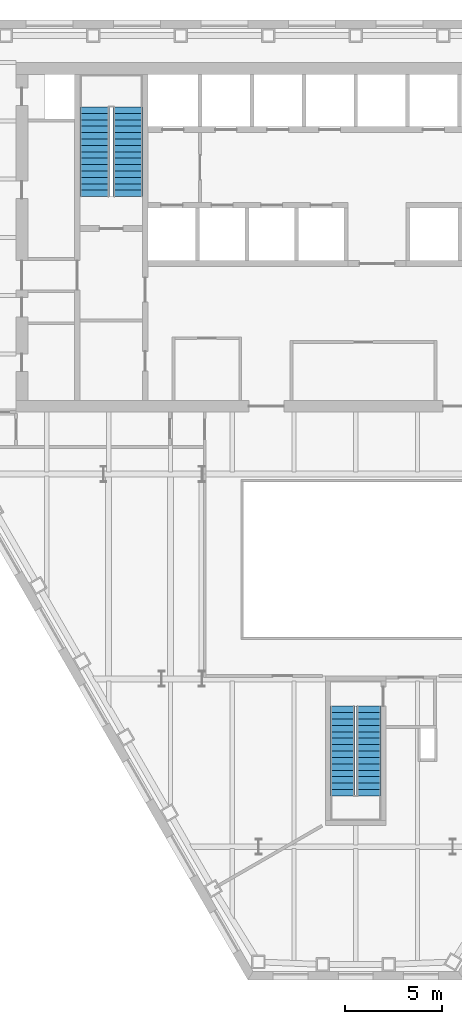
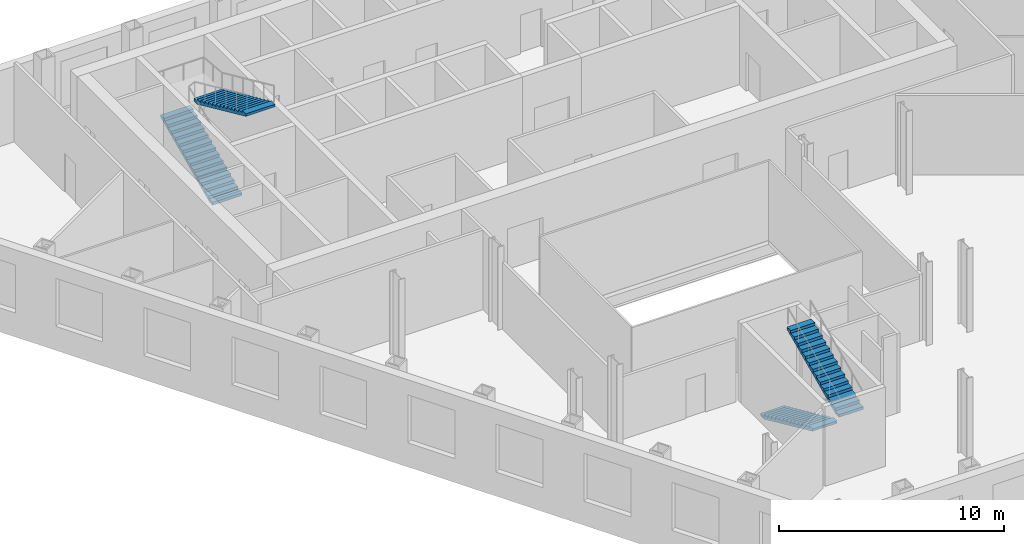
# One storey, part 9 of 11: 4 stair flights, 2 elements without a shape of their own.
"""IFC4 building model written with IfcOpenShell, lengths in metres."""

from ifc_helpers import new_model, si_unit, direction, frame, origin, place, context, subcontext, project, spatial, polygons, material, type_object, element, aggregate, save


model = new_model("IFC4")

# Units and contexts
model_context = context("Model", 3, precision=1e-05, world=origin(), true_north=direction((0.0, 1.0)))
body_context = subcontext(model_context, "Body", "Model", "MODEL_VIEW")
ifc_project = project(units=[si_unit("LENGTHUNIT", "METRE"), si_unit("AREAUNIT", "SQUARE_METRE"), si_unit("VOLUMEUNIT", "CUBIC_METRE"), si_unit("PLANEANGLEUNIT", "RADIAN"), si_unit("MASSUNIT", "GRAM", prefix="KILO")], contexts=[model_context])

# Site, building, storey
site_placement = place(None, origin())
site = spatial("IfcSite", under=ifc_project, at=site_placement, CompositionType="ELEMENT")
building_placement = place(site_placement, origin())
building = spatial("IfcBuilding", under=site, at=building_placement, Name="Njiva Tower", CompositionType="ELEMENT")
storey_placement = place(building_placement, frame((0.0, 0.0, 64.8)))
storey = spatial("IfcBuildingStorey", under=building, at=storey_placement, Name="L13", CompositionType="ELEMENT", Elevation=64.8)

# Stair, stair flights
ifc_material = material(Name="Concrete C40/50", Category="concrete")
stair_type_1 = type_object("IfcStairType", Name="ST1 Exit stair 1250", PredefinedType="HALF_TURN_STAIR", material=ifc_material)
stair_1_placement = place(storey_placement, origin())
stair_1 = element("IfcStair", 1, at=stair_1_placement, inside=storey, type_object=stair_type_1, Name="Stair C", PredefinedType="HALF_TURN_STAIR")
stair_flight_type_1 = type_object("IfcStairFlightType", Name="FL1 Stair flight 1250", PredefinedType="STRAIGHT", material=ifc_material)
stair_flight_1_placement = place(storey_placement, frame((-0.675, -15.16, 0.0), z_axis=(0.0, 0.0, 1.0), x_axis=(0.0, -1.0, 0.0)))
stair_flight_1 = element("IfcStairFlight", 2, at=stair_flight_1_placement, type_object=stair_flight_type_1, Name="ST-C flight 1", NumberOfRisers=15, NumberOfTreads=14, PredefinedType="STRAIGHT", RiserHeight=0.15, TreadLength=0.33, context=body_context, shape_type="Tessellation", body=[
    polygons([(0.0, 0.625, 0.0), (0.0, 0.3125, 0.0), (0.0, 0.0, 0.0), (0.0, -0.3125, 0.0), (0.0, -0.625, 0.0), (0.0, 0.625, 0.15), (0.0, 0.3125, 0.15), (0.0, 0.0, 0.15), (0.0, -0.3125, 0.15), (0.0, -0.625, 0.15), (0.33, 0.625, 0.15), (0.33, 0.3125, 0.15), (0.33, 0.0, 0.15), (0.33, -0.3125, 0.15), (0.33, -0.625, 0.15), (0.33, 0.625, 0.3), (0.33, 0.3125, 0.3), (0.33, 0.0, 0.3), (0.33, -0.3125, 0.3), (0.33, -0.625, 0.3), (0.66, 0.625, 0.3), (0.66, 0.3125, 0.3), (0.66, 0.0, 0.3), (0.66, -0.3125, 0.3), (0.66, -0.625, 0.3), (0.66, 0.625, 0.45), (0.66, 0.3125, 0.45), (0.66, 0.0, 0.45), (0.66, -0.3125, 0.45), (0.66, -0.625, 0.45), (0.99, 0.625, 0.45), (0.99, 0.3125, 0.45), (0.99, 0.0, 0.45), (0.99, -0.3125, 0.45), (0.99, -0.625, 0.45), (0.99, 0.625, 0.6), (0.99, 0.3125, 0.6), (0.99, 0.0, 0.6), (0.99, -0.3125, 0.6), (0.99, -0.625, 0.6), (1.32, 0.625, 0.6), (1.32, 0.3125, 0.6), (1.32, 0.0, 0.6), (1.32, -0.3125, 0.6), (1.32, -0.625, 0.6), (1.32, 0.625, 0.75), (1.32, 0.3125, 0.75), (1.32, 0.0, 0.75), (1.32, -0.3125, 0.75), (1.32, -0.625, 0.75), (1.65, 0.625, 0.75), (1.65, 0.3125, 0.75), (1.65, 0.0, 0.75), (1.65, -0.3125, 0.75), (1.65, -0.625, 0.75), (1.65, 0.625, 0.9), (1.65, 0.3125, 0.9), (1.65, 0.0, 0.9), (1.65, -0.3125, 0.9), (1.65, -0.625, 0.9), (1.98, 0.625, 0.9), (1.98, 0.3125, 0.9), (1.98, 0.0, 0.9), (1.98, -0.3125, 0.9), (1.98, -0.625, 0.9), (1.98, 0.625, 1.05), (1.98, 0.3125, 1.05), (1.98, 0.0, 1.05), (1.98, -0.3125, 1.05), (1.98, -0.625, 1.05), (2.31, 0.625, 1.05), (2.31, 0.3125, 1.05), (2.31, 0.0, 1.05), (2.31, -0.3125, 1.05), (2.31, -0.625, 1.05), (2.31, 0.625, 1.2), (2.31, 0.3125, 1.2), (2.31, 0.0, 1.2), (2.31, -0.3125, 1.2), (2.31, -0.625, 1.2), (2.64, 0.625, 1.2), (2.64, 0.3125, 1.2), (2.64, 0.0, 1.2), (2.64, -0.3125, 1.2), (2.64, -0.625, 1.2), (2.64, 0.625, 1.35), (2.64, 0.3125, 1.35), (2.64, 0.0, 1.35), (2.64, -0.3125, 1.35), (2.64, -0.625, 1.35), (2.97, 0.625, 1.35), (2.97, 0.3125, 1.35), (2.97, 0.0, 1.35), (2.97, -0.3125, 1.35), (2.97, -0.625, 1.35), (2.97, 0.625, 1.5), (2.97, 0.3125, 1.5), (2.97, 0.0, 1.5), (2.97, -0.3125, 1.5), (2.97, -0.625, 1.5), (3.3, 0.625, 1.5), (3.3, 0.3125, 1.5), (3.3, 0.0, 1.5), (3.3, -0.3125, 1.5), (3.3, -0.625, 1.5), (3.3, 0.625, 1.65), (3.3, 0.3125, 1.65), (3.3, 0.0, 1.65), (3.3, -0.3125, 1.65), (3.3, -0.625, 1.65), (3.63, 0.625, 1.65), (3.63, 0.3125, 1.65), (3.63, 0.0, 1.65), (3.63, -0.3125, 1.65), (3.63, -0.625, 1.65), (3.63, 0.625, 1.8), (3.63, 0.3125, 1.8), (3.63, 0.0, 1.8), (3.63, -0.3125, 1.8), (3.63, -0.625, 1.8), (3.96, 0.625, 1.8), (3.96, 0.3125, 1.8), (3.96, 0.0, 1.8), (3.96, -0.3125, 1.8), (3.96, -0.625, 1.8), (3.96, 0.625, 1.95), (3.96, 0.3125, 1.95), (3.96, 0.0, 1.95), (3.96, -0.3125, 1.95), (3.96, -0.625, 1.95), (4.29, 0.625, 1.95), (4.29, 0.3125, 1.95), (4.29, 0.0, 1.95), (4.29, -0.3125, 1.95), (4.29, -0.625, 1.95), (4.29, 0.625, 2.1), (4.29, 0.3125, 2.1), (4.29, 0.0, 2.1), (4.29, -0.3125, 2.1), (4.29, -0.625, 2.1), (4.62, 0.625, 2.1), (4.62, 0.3125, 2.1), (4.62, 0.0, 2.1), (4.62, -0.3125, 2.1), (4.62, -0.625, 2.1), (4.62, 0.625, 1.9682), (4.62, 0.3125, 1.9682), (4.62, 0.0, 1.9682), (4.62, -0.3125, 1.9682), (4.62, -0.625, 1.9682), (0.29, 0.625, 0.0), (0.29, 0.3125, 0.0), (0.29, 0.0, 0.0), (0.29, -0.3125, 0.0), (0.29, -0.625, 0.0)], [[[1, 6, 11, 16, 21, 26, 31, 36, 41, 46, 51, 56, 61, 66, 71, 76, 81, 86, 91, 96, 101, 106, 111, 116, 121, 126, 131, 136, 141, 146, 151]], [[155, 150, 145, 140, 135, 130, 125, 120, 115, 110, 105, 100, 95, 90, 85, 80, 75, 70, 65, 60, 55, 50, 45, 40, 35, 30, 25, 20, 15, 10, 5]], [[6, 1, 2, 7]], [[7, 2, 3, 8]], [[8, 3, 4, 9]], [[9, 4, 5, 10]], [[11, 6, 7, 12]], [[12, 7, 8, 13]], [[13, 8, 9, 14]], [[14, 9, 10, 15]], [[16, 11, 12, 17]], [[17, 12, 13, 18]], [[18, 13, 14, 19]], [[19, 14, 15, 20]], [[21, 16, 17, 22]], [[22, 17, 18, 23]], [[23, 18, 19, 24]], [[24, 19, 20, 25]], [[26, 21, 22, 27]], [[27, 22, 23, 28]], [[28, 23, 24, 29]], [[29, 24, 25, 30]], [[31, 26, 27, 32]], [[32, 27, 28, 33]], [[33, 28, 29, 34]], [[34, 29, 30, 35]], [[36, 31, 32, 37]], [[37, 32, 33, 38]], [[38, 33, 34, 39]], [[39, 34, 35, 40]], [[41, 36, 37, 42]], [[42, 37, 38, 43]], [[43, 38, 39, 44]], [[44, 39, 40, 45]], [[46, 41, 42, 47]], [[47, 42, 43, 48]], [[48, 43, 44, 49]], [[49, 44, 45, 50]], [[51, 46, 47, 52]], [[52, 47, 48, 53]], [[53, 48, 49, 54]], [[54, 49, 50, 55]], [[56, 51, 52, 57]], [[57, 52, 53, 58]], [[58, 53, 54, 59]], [[59, 54, 55, 60]], [[61, 56, 57, 62]], [[62, 57, 58, 63]], [[63, 58, 59, 64]], [[64, 59, 60, 65]], [[66, 61, 62, 67]], [[67, 62, 63, 68]], [[68, 63, 64, 69]], [[69, 64, 65, 70]], [[71, 66, 67, 72]], [[72, 67, 68, 73]], [[73, 68, 69, 74]], [[74, 69, 70, 75]], [[76, 71, 72, 77]], [[77, 72, 73, 78]], [[78, 73, 74, 79]], [[79, 74, 75, 80]], [[81, 76, 77, 82]], [[82, 77, 78, 83]], [[83, 78, 79, 84]], [[84, 79, 80, 85]], [[86, 81, 82, 87]], [[87, 82, 83, 88]], [[88, 83, 84, 89]], [[89, 84, 85, 90]], [[91, 86, 87, 92]], [[92, 87, 88, 93]], [[93, 88, 89, 94]], [[94, 89, 90, 95]], [[96, 91, 92, 97]], [[97, 92, 93, 98]], [[98, 93, 94, 99]], [[99, 94, 95, 100]], [[101, 96, 97, 102]], [[102, 97, 98, 103]], [[103, 98, 99, 104]], [[104, 99, 100, 105]], [[106, 101, 102, 107]], [[107, 102, 103, 108]], [[108, 103, 104, 109]], [[109, 104, 105, 110]], [[111, 106, 107, 112]], [[112, 107, 108, 113]], [[113, 108, 109, 114]], [[114, 109, 110, 115]], [[116, 111, 112, 117]], [[117, 112, 113, 118]], [[118, 113, 114, 119]], [[119, 114, 115, 120]], [[121, 116, 117, 122]], [[122, 117, 118, 123]], [[123, 118, 119, 124]], [[124, 119, 120, 125]], [[126, 121, 122, 127]], [[127, 122, 123, 128]], [[128, 123, 124, 129]], [[129, 124, 125, 130]], [[131, 126, 127, 132]], [[132, 127, 128, 133]], [[133, 128, 129, 134]], [[134, 129, 130, 135]], [[136, 131, 132, 137]], [[137, 132, 133, 138]], [[138, 133, 134, 139]], [[139, 134, 135, 140]], [[141, 136, 137, 142]], [[142, 137, 138, 143]], [[143, 138, 139, 144]], [[144, 139, 140, 145]], [[146, 141, 142, 147]], [[147, 142, 143, 148]], [[148, 143, 144, 149]], [[149, 144, 145, 150]], [[151, 146, 147, 152]], [[152, 147, 148, 153]], [[153, 148, 149, 154]], [[154, 149, 150, 155]], [[1, 151, 152, 2]], [[2, 152, 153, 3]], [[3, 153, 154, 4]], [[4, 154, 155, 5]]], closed=True),
])
stair_flight_2_placement = place(storey_placement, frame((0.675, -19.78, 2.25), z_axis=(0.0, 0.0, 1.0), x_axis=(0.0, 1.0, 0.0)))
stair_flight_2 = element("IfcStairFlight", 3, at=stair_flight_2_placement, type_object=stair_flight_type_1, Name="ST-C flight 2", NumberOfRisers=15, NumberOfTreads=14, PredefinedType="STRAIGHT", RiserHeight=0.15, TreadLength=0.33, context=body_context, shape_type="Tessellation", body=[
    polygons([(0.0, 0.625, 0.0), (0.0, 0.3125, 0.0), (0.0, 0.0, 0.0), (0.0, -0.3125, 0.0), (0.0, -0.625, 0.0), (0.0, 0.625, 0.15), (0.0, 0.3125, 0.15), (0.0, 0.0, 0.15), (0.0, -0.3125, 0.15), (0.0, -0.625, 0.15), (0.33, 0.625, 0.15), (0.33, 0.3125, 0.15), (0.33, 0.0, 0.15), (0.33, -0.3125, 0.15), (0.33, -0.625, 0.15), (0.33, 0.625, 0.3), (0.33, 0.3125, 0.3), (0.33, 0.0, 0.3), (0.33, -0.3125, 0.3), (0.33, -0.625, 0.3), (0.66, 0.625, 0.3), (0.66, 0.3125, 0.3), (0.66, 0.0, 0.3), (0.66, -0.3125, 0.3), (0.66, -0.625, 0.3), (0.66, 0.625, 0.45), (0.66, 0.3125, 0.45), (0.66, 0.0, 0.45), (0.66, -0.3125, 0.45), (0.66, -0.625, 0.45), (0.99, 0.625, 0.45), (0.99, 0.3125, 0.45), (0.99, 0.0, 0.45), (0.99, -0.3125, 0.45), (0.99, -0.625, 0.45), (0.99, 0.625, 0.6), (0.99, 0.3125, 0.6), (0.99, 0.0, 0.6), (0.99, -0.3125, 0.6), (0.99, -0.625, 0.6), (1.32, 0.625, 0.6), (1.32, 0.3125, 0.6), (1.32, 0.0, 0.6), (1.32, -0.3125, 0.6), (1.32, -0.625, 0.6), (1.32, 0.625, 0.75), (1.32, 0.3125, 0.75), (1.32, 0.0, 0.75), (1.32, -0.3125, 0.75), (1.32, -0.625, 0.75), (1.65, 0.625, 0.75), (1.65, 0.3125, 0.75), (1.65, 0.0, 0.75), (1.65, -0.3125, 0.75), (1.65, -0.625, 0.75), (1.65, 0.625, 0.9), (1.65, 0.3125, 0.9), (1.65, 0.0, 0.9), (1.65, -0.3125, 0.9), (1.65, -0.625, 0.9), (1.98, 0.625, 0.9), (1.98, 0.3125, 0.9), (1.98, 0.0, 0.9), (1.98, -0.3125, 0.9), (1.98, -0.625, 0.9), (1.98, 0.625, 1.05), (1.98, 0.3125, 1.05), (1.98, 0.0, 1.05), (1.98, -0.3125, 1.05), (1.98, -0.625, 1.05), (2.31, 0.625, 1.05), (2.31, 0.3125, 1.05), (2.31, 0.0, 1.05), (2.31, -0.3125, 1.05), (2.31, -0.625, 1.05), (2.31, 0.625, 1.2), (2.31, 0.3125, 1.2), (2.31, 0.0, 1.2), (2.31, -0.3125, 1.2), (2.31, -0.625, 1.2), (2.64, 0.625, 1.2), (2.64, 0.3125, 1.2), (2.64, 0.0, 1.2), (2.64, -0.3125, 1.2), (2.64, -0.625, 1.2), (2.64, 0.625, 1.35), (2.64, 0.3125, 1.35), (2.64, 0.0, 1.35), (2.64, -0.3125, 1.35), (2.64, -0.625, 1.35), (2.97, 0.625, 1.35), (2.97, 0.3125, 1.35), (2.97, 0.0, 1.35), (2.97, -0.3125, 1.35), (2.97, -0.625, 1.35), (2.97, 0.625, 1.5), (2.97, 0.3125, 1.5), (2.97, 0.0, 1.5), (2.97, -0.3125, 1.5), (2.97, -0.625, 1.5), (3.3, 0.625, 1.5), (3.3, 0.3125, 1.5), (3.3, 0.0, 1.5), (3.3, -0.3125, 1.5), (3.3, -0.625, 1.5), (3.3, 0.625, 1.65), (3.3, 0.3125, 1.65), (3.3, 0.0, 1.65), (3.3, -0.3125, 1.65), (3.3, -0.625, 1.65), (3.63, 0.625, 1.65), (3.63, 0.3125, 1.65), (3.63, 0.0, 1.65), (3.63, -0.3125, 1.65), (3.63, -0.625, 1.65), (3.63, 0.625, 1.8), (3.63, 0.3125, 1.8), (3.63, 0.0, 1.8), (3.63, -0.3125, 1.8), (3.63, -0.625, 1.8), (3.96, 0.625, 1.8), (3.96, 0.3125, 1.8), (3.96, 0.0, 1.8), (3.96, -0.3125, 1.8), (3.96, -0.625, 1.8), (3.96, 0.625, 1.95), (3.96, 0.3125, 1.95), (3.96, 0.0, 1.95), (3.96, -0.3125, 1.95), (3.96, -0.625, 1.95), (4.29, 0.625, 1.95), (4.29, 0.3125, 1.95), (4.29, 0.0, 1.95), (4.29, -0.3125, 1.95), (4.29, -0.625, 1.95), (4.29, 0.625, 2.1), (4.29, 0.3125, 2.1), (4.29, 0.0, 2.1), (4.29, -0.3125, 2.1), (4.29, -0.625, 2.1), (4.62, 0.625, 2.1), (4.62, 0.3125, 2.1), (4.62, 0.0, 2.1), (4.62, -0.3125, 2.1), (4.62, -0.625, 2.1), (4.62, 0.625, 1.9682), (4.62, 0.3125, 1.9682), (4.62, 0.0, 1.9682), (4.62, -0.3125, 1.9682), (4.62, -0.625, 1.9682), (0.29, 0.625, 0.0), (0.29, 0.3125, 0.0), (0.29, 0.0, 0.0), (0.29, -0.3125, 0.0), (0.29, -0.625, 0.0)], [[[1, 6, 11, 16, 21, 26, 31, 36, 41, 46, 51, 56, 61, 66, 71, 76, 81, 86, 91, 96, 101, 106, 111, 116, 121, 126, 131, 136, 141, 146, 151]], [[155, 150, 145, 140, 135, 130, 125, 120, 115, 110, 105, 100, 95, 90, 85, 80, 75, 70, 65, 60, 55, 50, 45, 40, 35, 30, 25, 20, 15, 10, 5]], [[6, 1, 2, 7]], [[7, 2, 3, 8]], [[8, 3, 4, 9]], [[9, 4, 5, 10]], [[11, 6, 7, 12]], [[12, 7, 8, 13]], [[13, 8, 9, 14]], [[14, 9, 10, 15]], [[16, 11, 12, 17]], [[17, 12, 13, 18]], [[18, 13, 14, 19]], [[19, 14, 15, 20]], [[21, 16, 17, 22]], [[22, 17, 18, 23]], [[23, 18, 19, 24]], [[24, 19, 20, 25]], [[26, 21, 22, 27]], [[27, 22, 23, 28]], [[28, 23, 24, 29]], [[29, 24, 25, 30]], [[31, 26, 27, 32]], [[32, 27, 28, 33]], [[33, 28, 29, 34]], [[34, 29, 30, 35]], [[36, 31, 32, 37]], [[37, 32, 33, 38]], [[38, 33, 34, 39]], [[39, 34, 35, 40]], [[41, 36, 37, 42]], [[42, 37, 38, 43]], [[43, 38, 39, 44]], [[44, 39, 40, 45]], [[46, 41, 42, 47]], [[47, 42, 43, 48]], [[48, 43, 44, 49]], [[49, 44, 45, 50]], [[51, 46, 47, 52]], [[52, 47, 48, 53]], [[53, 48, 49, 54]], [[54, 49, 50, 55]], [[56, 51, 52, 57]], [[57, 52, 53, 58]], [[58, 53, 54, 59]], [[59, 54, 55, 60]], [[61, 56, 57, 62]], [[62, 57, 58, 63]], [[63, 58, 59, 64]], [[64, 59, 60, 65]], [[66, 61, 62, 67]], [[67, 62, 63, 68]], [[68, 63, 64, 69]], [[69, 64, 65, 70]], [[71, 66, 67, 72]], [[72, 67, 68, 73]], [[73, 68, 69, 74]], [[74, 69, 70, 75]], [[76, 71, 72, 77]], [[77, 72, 73, 78]], [[78, 73, 74, 79]], [[79, 74, 75, 80]], [[81, 76, 77, 82]], [[82, 77, 78, 83]], [[83, 78, 79, 84]], [[84, 79, 80, 85]], [[86, 81, 82, 87]], [[87, 82, 83, 88]], [[88, 83, 84, 89]], [[89, 84, 85, 90]], [[91, 86, 87, 92]], [[92, 87, 88, 93]], [[93, 88, 89, 94]], [[94, 89, 90, 95]], [[96, 91, 92, 97]], [[97, 92, 93, 98]], [[98, 93, 94, 99]], [[99, 94, 95, 100]], [[101, 96, 97, 102]], [[102, 97, 98, 103]], [[103, 98, 99, 104]], [[104, 99, 100, 105]], [[106, 101, 102, 107]], [[107, 102, 103, 108]], [[108, 103, 104, 109]], [[109, 104, 105, 110]], [[111, 106, 107, 112]], [[112, 107, 108, 113]], [[113, 108, 109, 114]], [[114, 109, 110, 115]], [[116, 111, 112, 117]], [[117, 112, 113, 118]], [[118, 113, 114, 119]], [[119, 114, 115, 120]], [[121, 116, 117, 122]], [[122, 117, 118, 123]], [[123, 118, 119, 124]], [[124, 119, 120, 125]], [[126, 121, 122, 127]], [[127, 122, 123, 128]], [[128, 123, 124, 129]], [[129, 124, 125, 130]], [[131, 126, 127, 132]], [[132, 127, 128, 133]], [[133, 128, 129, 134]], [[134, 129, 130, 135]], [[136, 131, 132, 137]], [[137, 132, 133, 138]], [[138, 133, 134, 139]], [[139, 134, 135, 140]], [[141, 136, 137, 142]], [[142, 137, 138, 143]], [[143, 138, 139, 144]], [[144, 139, 140, 145]], [[146, 141, 142, 147]], [[147, 142, 143, 148]], [[148, 143, 144, 149]], [[149, 144, 145, 150]], [[151, 146, 147, 152]], [[152, 147, 148, 153]], [[153, 148, 149, 154]], [[154, 149, 150, 155]], [[1, 151, 152, 2]], [[2, 152, 153, 3]], [[3, 153, 154, 4]], [[4, 154, 155, 5]]], closed=True),
])
aggregate(stair_1, [stair_flight_1, stair_flight_2])

stair_type_2 = type_object("IfcStairType", Name="ST4 Exit stair 1500", PredefinedType="HALF_TURN_STAIR", material=ifc_material)
stair_2_placement = place(storey_placement, origin())
stair_2 = element("IfcStair", 4, at=stair_2_placement, inside=storey, type_object=stair_type_2, Name="Stair A", PredefinedType="HALF_TURN_STAIR")
stair_flight_type_2 = type_object("IfcStairFlightType", Name="FL4 Stair flight 1500", PredefinedType="STRAIGHT", material=ifc_material)
stair_flight_3_placement = place(storey_placement, frame((-13.45, 11.1, 0.0), z_axis=(0.0, 0.0, 1.0), x_axis=(0.0, 1.0, 0.0)))
stair_flight_3 = element("IfcStairFlight", 5, at=stair_flight_3_placement, type_object=stair_flight_type_2, Name="ST-A flight 1", NumberOfRisers=15, NumberOfTreads=14, PredefinedType="STRAIGHT", RiserHeight=0.15, TreadLength=0.33, context=body_context, shape_type="Tessellation", body=[
    polygons([(0.0, 0.75, 0.0), (0.0, 0.375, 0.0), (0.0, 0.0, 0.0), (0.0, -0.375, 0.0), (0.0, -0.75, 0.0), (0.0, 0.75, 0.15), (0.0, 0.375, 0.15), (0.0, 0.0, 0.15), (0.0, -0.375, 0.15), (0.0, -0.75, 0.15), (0.33, 0.75, 0.15), (0.33, 0.375, 0.15), (0.33, 0.0, 0.15), (0.33, -0.375, 0.15), (0.33, -0.75, 0.15), (0.33, 0.75, 0.3), (0.33, 0.375, 0.3), (0.33, 0.0, 0.3), (0.33, -0.375, 0.3), (0.33, -0.75, 0.3), (0.66, 0.75, 0.3), (0.66, 0.375, 0.3), (0.66, 0.0, 0.3), (0.66, -0.375, 0.3), (0.66, -0.75, 0.3), (0.66, 0.75, 0.45), (0.66, 0.375, 0.45), (0.66, 0.0, 0.45), (0.66, -0.375, 0.45), (0.66, -0.75, 0.45), (0.99, 0.75, 0.45), (0.99, 0.375, 0.45), (0.99, 0.0, 0.45), (0.99, -0.375, 0.45), (0.99, -0.75, 0.45), (0.99, 0.75, 0.6), (0.99, 0.375, 0.6), (0.99, 0.0, 0.6), (0.99, -0.375, 0.6), (0.99, -0.75, 0.6), (1.32, 0.75, 0.6), (1.32, 0.375, 0.6), (1.32, 0.0, 0.6), (1.32, -0.375, 0.6), (1.32, -0.75, 0.6), (1.32, 0.75, 0.75), (1.32, 0.375, 0.75), (1.32, 0.0, 0.75), (1.32, -0.375, 0.75), (1.32, -0.75, 0.75), (1.65, 0.75, 0.75), (1.65, 0.375, 0.75), (1.65, 0.0, 0.75), (1.65, -0.375, 0.75), (1.65, -0.75, 0.75), (1.65, 0.75, 0.9), (1.65, 0.375, 0.9), (1.65, 0.0, 0.9), (1.65, -0.375, 0.9), (1.65, -0.75, 0.9), (1.98, 0.75, 0.9), (1.98, 0.375, 0.9), (1.98, 0.0, 0.9), (1.98, -0.375, 0.9), (1.98, -0.75, 0.9), (1.98, 0.75, 1.05), (1.98, 0.375, 1.05), (1.98, 0.0, 1.05), (1.98, -0.375, 1.05), (1.98, -0.75, 1.05), (2.31, 0.75, 1.05), (2.31, 0.375, 1.05), (2.31, 0.0, 1.05), (2.31, -0.375, 1.05), (2.31, -0.75, 1.05), (2.31, 0.75, 1.2), (2.31, 0.375, 1.2), (2.31, 0.0, 1.2), (2.31, -0.375, 1.2), (2.31, -0.75, 1.2), (2.64, 0.75, 1.2), (2.64, 0.375, 1.2), (2.64, 0.0, 1.2), (2.64, -0.375, 1.2), (2.64, -0.75, 1.2), (2.64, 0.75, 1.35), (2.64, 0.375, 1.35), (2.64, 0.0, 1.35), (2.64, -0.375, 1.35), (2.64, -0.75, 1.35), (2.97, 0.75, 1.35), (2.97, 0.375, 1.35), (2.97, 0.0, 1.35), (2.97, -0.375, 1.35), (2.97, -0.75, 1.35), (2.97, 0.75, 1.5), (2.97, 0.375, 1.5), (2.97, 0.0, 1.5), (2.97, -0.375, 1.5), (2.97, -0.75, 1.5), (3.3, 0.75, 1.5), (3.3, 0.375, 1.5), (3.3, 0.0, 1.5), (3.3, -0.375, 1.5), (3.3, -0.75, 1.5), (3.3, 0.75, 1.65), (3.3, 0.375, 1.65), (3.3, 0.0, 1.65), (3.3, -0.375, 1.65), (3.3, -0.75, 1.65), (3.63, 0.75, 1.65), (3.63, 0.375, 1.65), (3.63, 0.0, 1.65), (3.63, -0.375, 1.65), (3.63, -0.75, 1.65), (3.63, 0.75, 1.8), (3.63, 0.375, 1.8), (3.63, 0.0, 1.8), (3.63, -0.375, 1.8), (3.63, -0.75, 1.8), (3.96, 0.75, 1.8), (3.96, 0.375, 1.8), (3.96, 0.0, 1.8), (3.96, -0.375, 1.8), (3.96, -0.75, 1.8), (3.96, 0.75, 1.95), (3.96, 0.375, 1.95), (3.96, 0.0, 1.95), (3.96, -0.375, 1.95), (3.96, -0.75, 1.95), (4.29, 0.75, 1.95), (4.29, 0.375, 1.95), (4.29, 0.0, 1.95), (4.29, -0.375, 1.95), (4.29, -0.75, 1.95), (4.29, 0.75, 2.1), (4.29, 0.375, 2.1), (4.29, 0.0, 2.1), (4.29, -0.375, 2.1), (4.29, -0.75, 2.1), (4.62, 0.75, 2.1), (4.62, 0.375, 2.1), (4.62, 0.0, 2.1), (4.62, -0.375, 2.1), (4.62, -0.75, 2.1), (4.62, 0.75, 1.9682), (4.62, 0.375, 1.9682), (4.62, 0.0, 1.9682), (4.62, -0.375, 1.9682), (4.62, -0.75, 1.9682), (0.29, 0.75, 0.0), (0.29, 0.375, 0.0), (0.29, 0.0, 0.0), (0.29, -0.375, 0.0), (0.29, -0.75, 0.0)], [[[1, 6, 11, 16, 21, 26, 31, 36, 41, 46, 51, 56, 61, 66, 71, 76, 81, 86, 91, 96, 101, 106, 111, 116, 121, 126, 131, 136, 141, 146, 151]], [[155, 150, 145, 140, 135, 130, 125, 120, 115, 110, 105, 100, 95, 90, 85, 80, 75, 70, 65, 60, 55, 50, 45, 40, 35, 30, 25, 20, 15, 10, 5]], [[6, 1, 2, 7]], [[7, 2, 3, 8]], [[8, 3, 4, 9]], [[9, 4, 5, 10]], [[11, 6, 7, 12]], [[12, 7, 8, 13]], [[13, 8, 9, 14]], [[14, 9, 10, 15]], [[16, 11, 12, 17]], [[17, 12, 13, 18]], [[18, 13, 14, 19]], [[19, 14, 15, 20]], [[21, 16, 17, 22]], [[22, 17, 18, 23]], [[23, 18, 19, 24]], [[24, 19, 20, 25]], [[26, 21, 22, 27]], [[27, 22, 23, 28]], [[28, 23, 24, 29]], [[29, 24, 25, 30]], [[31, 26, 27, 32]], [[32, 27, 28, 33]], [[33, 28, 29, 34]], [[34, 29, 30, 35]], [[36, 31, 32, 37]], [[37, 32, 33, 38]], [[38, 33, 34, 39]], [[39, 34, 35, 40]], [[41, 36, 37, 42]], [[42, 37, 38, 43]], [[43, 38, 39, 44]], [[44, 39, 40, 45]], [[46, 41, 42, 47]], [[47, 42, 43, 48]], [[48, 43, 44, 49]], [[49, 44, 45, 50]], [[51, 46, 47, 52]], [[52, 47, 48, 53]], [[53, 48, 49, 54]], [[54, 49, 50, 55]], [[56, 51, 52, 57]], [[57, 52, 53, 58]], [[58, 53, 54, 59]], [[59, 54, 55, 60]], [[61, 56, 57, 62]], [[62, 57, 58, 63]], [[63, 58, 59, 64]], [[64, 59, 60, 65]], [[66, 61, 62, 67]], [[67, 62, 63, 68]], [[68, 63, 64, 69]], [[69, 64, 65, 70]], [[71, 66, 67, 72]], [[72, 67, 68, 73]], [[73, 68, 69, 74]], [[74, 69, 70, 75]], [[76, 71, 72, 77]], [[77, 72, 73, 78]], [[78, 73, 74, 79]], [[79, 74, 75, 80]], [[81, 76, 77, 82]], [[82, 77, 78, 83]], [[83, 78, 79, 84]], [[84, 79, 80, 85]], [[86, 81, 82, 87]], [[87, 82, 83, 88]], [[88, 83, 84, 89]], [[89, 84, 85, 90]], [[91, 86, 87, 92]], [[92, 87, 88, 93]], [[93, 88, 89, 94]], [[94, 89, 90, 95]], [[96, 91, 92, 97]], [[97, 92, 93, 98]], [[98, 93, 94, 99]], [[99, 94, 95, 100]], [[101, 96, 97, 102]], [[102, 97, 98, 103]], [[103, 98, 99, 104]], [[104, 99, 100, 105]], [[106, 101, 102, 107]], [[107, 102, 103, 108]], [[108, 103, 104, 109]], [[109, 104, 105, 110]], [[111, 106, 107, 112]], [[112, 107, 108, 113]], [[113, 108, 109, 114]], [[114, 109, 110, 115]], [[116, 111, 112, 117]], [[117, 112, 113, 118]], [[118, 113, 114, 119]], [[119, 114, 115, 120]], [[121, 116, 117, 122]], [[122, 117, 118, 123]], [[123, 118, 119, 124]], [[124, 119, 120, 125]], [[126, 121, 122, 127]], [[127, 122, 123, 128]], [[128, 123, 124, 129]], [[129, 124, 125, 130]], [[131, 126, 127, 132]], [[132, 127, 128, 133]], [[133, 128, 129, 134]], [[134, 129, 130, 135]], [[136, 131, 132, 137]], [[137, 132, 133, 138]], [[138, 133, 134, 139]], [[139, 134, 135, 140]], [[141, 136, 137, 142]], [[142, 137, 138, 143]], [[143, 138, 139, 144]], [[144, 139, 140, 145]], [[146, 141, 142, 147]], [[147, 142, 143, 148]], [[148, 143, 144, 149]], [[149, 144, 145, 150]], [[151, 146, 147, 152]], [[152, 147, 148, 153]], [[153, 148, 149, 154]], [[154, 149, 150, 155]], [[1, 151, 152, 2]], [[2, 152, 153, 3]], [[3, 153, 154, 4]], [[4, 154, 155, 5]]], closed=True),
])
stair_flight_4_placement = place(storey_placement, frame((-11.75, 15.72, 2.25), z_axis=(0.0, 0.0, 1.0), x_axis=(0.0, -1.0, 0.0)))
stair_flight_4 = element("IfcStairFlight", 6, at=stair_flight_4_placement, type_object=stair_flight_type_2, Name="ST-A flight 2", NumberOfRisers=15, NumberOfTreads=14, PredefinedType="STRAIGHT", RiserHeight=0.15, TreadLength=0.33, context=body_context, shape_type="Tessellation", body=[
    polygons([(0.0, 0.75, 0.0), (0.0, 0.375, 0.0), (0.0, 0.0, 0.0), (0.0, -0.375, 0.0), (0.0, -0.75, 0.0), (0.0, 0.75, 0.15), (0.0, 0.375, 0.15), (0.0, 0.0, 0.15), (0.0, -0.375, 0.15), (0.0, -0.75, 0.15), (0.33, 0.75, 0.15), (0.33, 0.375, 0.15), (0.33, 0.0, 0.15), (0.33, -0.375, 0.15), (0.33, -0.75, 0.15), (0.33, 0.75, 0.3), (0.33, 0.375, 0.3), (0.33, 0.0, 0.3), (0.33, -0.375, 0.3), (0.33, -0.75, 0.3), (0.66, 0.75, 0.3), (0.66, 0.375, 0.3), (0.66, 0.0, 0.3), (0.66, -0.375, 0.3), (0.66, -0.75, 0.3), (0.66, 0.75, 0.45), (0.66, 0.375, 0.45), (0.66, 0.0, 0.45), (0.66, -0.375, 0.45), (0.66, -0.75, 0.45), (0.99, 0.75, 0.45), (0.99, 0.375, 0.45), (0.99, 0.0, 0.45), (0.99, -0.375, 0.45), (0.99, -0.75, 0.45), (0.99, 0.75, 0.6), (0.99, 0.375, 0.6), (0.99, 0.0, 0.6), (0.99, -0.375, 0.6), (0.99, -0.75, 0.6), (1.32, 0.75, 0.6), (1.32, 0.375, 0.6), (1.32, 0.0, 0.6), (1.32, -0.375, 0.6), (1.32, -0.75, 0.6), (1.32, 0.75, 0.75), (1.32, 0.375, 0.75), (1.32, 0.0, 0.75), (1.32, -0.375, 0.75), (1.32, -0.75, 0.75), (1.65, 0.75, 0.75), (1.65, 0.375, 0.75), (1.65, 0.0, 0.75), (1.65, -0.375, 0.75), (1.65, -0.75, 0.75), (1.65, 0.75, 0.9), (1.65, 0.375, 0.9), (1.65, 0.0, 0.9), (1.65, -0.375, 0.9), (1.65, -0.75, 0.9), (1.98, 0.75, 0.9), (1.98, 0.375, 0.9), (1.98, 0.0, 0.9), (1.98, -0.375, 0.9), (1.98, -0.75, 0.9), (1.98, 0.75, 1.05), (1.98, 0.375, 1.05), (1.98, 0.0, 1.05), (1.98, -0.375, 1.05), (1.98, -0.75, 1.05), (2.31, 0.75, 1.05), (2.31, 0.375, 1.05), (2.31, 0.0, 1.05), (2.31, -0.375, 1.05), (2.31, -0.75, 1.05), (2.31, 0.75, 1.2), (2.31, 0.375, 1.2), (2.31, 0.0, 1.2), (2.31, -0.375, 1.2), (2.31, -0.75, 1.2), (2.64, 0.75, 1.2), (2.64, 0.375, 1.2), (2.64, 0.0, 1.2), (2.64, -0.375, 1.2), (2.64, -0.75, 1.2), (2.64, 0.75, 1.35), (2.64, 0.375, 1.35), (2.64, 0.0, 1.35), (2.64, -0.375, 1.35), (2.64, -0.75, 1.35), (2.97, 0.75, 1.35), (2.97, 0.375, 1.35), (2.97, 0.0, 1.35), (2.97, -0.375, 1.35), (2.97, -0.75, 1.35), (2.97, 0.75, 1.5), (2.97, 0.375, 1.5), (2.97, 0.0, 1.5), (2.97, -0.375, 1.5), (2.97, -0.75, 1.5), (3.3, 0.75, 1.5), (3.3, 0.375, 1.5), (3.3, 0.0, 1.5), (3.3, -0.375, 1.5), (3.3, -0.75, 1.5), (3.3, 0.75, 1.65), (3.3, 0.375, 1.65), (3.3, 0.0, 1.65), (3.3, -0.375, 1.65), (3.3, -0.75, 1.65), (3.63, 0.75, 1.65), (3.63, 0.375, 1.65), (3.63, 0.0, 1.65), (3.63, -0.375, 1.65), (3.63, -0.75, 1.65), (3.63, 0.75, 1.8), (3.63, 0.375, 1.8), (3.63, 0.0, 1.8), (3.63, -0.375, 1.8), (3.63, -0.75, 1.8), (3.96, 0.75, 1.8), (3.96, 0.375, 1.8), (3.96, 0.0, 1.8), (3.96, -0.375, 1.8), (3.96, -0.75, 1.8), (3.96, 0.75, 1.95), (3.96, 0.375, 1.95), (3.96, 0.0, 1.95), (3.96, -0.375, 1.95), (3.96, -0.75, 1.95), (4.29, 0.75, 1.95), (4.29, 0.375, 1.95), (4.29, 0.0, 1.95), (4.29, -0.375, 1.95), (4.29, -0.75, 1.95), (4.29, 0.75, 2.1), (4.29, 0.375, 2.1), (4.29, 0.0, 2.1), (4.29, -0.375, 2.1), (4.29, -0.75, 2.1), (4.62, 0.75, 2.1), (4.62, 0.375, 2.1), (4.62, 0.0, 2.1), (4.62, -0.375, 2.1), (4.62, -0.75, 2.1), (4.62, 0.75, 1.9682), (4.62, 0.375, 1.9682), (4.62, 0.0, 1.9682), (4.62, -0.375, 1.9682), (4.62, -0.75, 1.9682), (0.29, 0.75, 0.0), (0.29, 0.375, 0.0), (0.29, 0.0, 0.0), (0.29, -0.375, 0.0), (0.29, -0.75, 0.0)], [[[1, 6, 11, 16, 21, 26, 31, 36, 41, 46, 51, 56, 61, 66, 71, 76, 81, 86, 91, 96, 101, 106, 111, 116, 121, 126, 131, 136, 141, 146, 151]], [[155, 150, 145, 140, 135, 130, 125, 120, 115, 110, 105, 100, 95, 90, 85, 80, 75, 70, 65, 60, 55, 50, 45, 40, 35, 30, 25, 20, 15, 10, 5]], [[6, 1, 2, 7]], [[7, 2, 3, 8]], [[8, 3, 4, 9]], [[9, 4, 5, 10]], [[11, 6, 7, 12]], [[12, 7, 8, 13]], [[13, 8, 9, 14]], [[14, 9, 10, 15]], [[16, 11, 12, 17]], [[17, 12, 13, 18]], [[18, 13, 14, 19]], [[19, 14, 15, 20]], [[21, 16, 17, 22]], [[22, 17, 18, 23]], [[23, 18, 19, 24]], [[24, 19, 20, 25]], [[26, 21, 22, 27]], [[27, 22, 23, 28]], [[28, 23, 24, 29]], [[29, 24, 25, 30]], [[31, 26, 27, 32]], [[32, 27, 28, 33]], [[33, 28, 29, 34]], [[34, 29, 30, 35]], [[36, 31, 32, 37]], [[37, 32, 33, 38]], [[38, 33, 34, 39]], [[39, 34, 35, 40]], [[41, 36, 37, 42]], [[42, 37, 38, 43]], [[43, 38, 39, 44]], [[44, 39, 40, 45]], [[46, 41, 42, 47]], [[47, 42, 43, 48]], [[48, 43, 44, 49]], [[49, 44, 45, 50]], [[51, 46, 47, 52]], [[52, 47, 48, 53]], [[53, 48, 49, 54]], [[54, 49, 50, 55]], [[56, 51, 52, 57]], [[57, 52, 53, 58]], [[58, 53, 54, 59]], [[59, 54, 55, 60]], [[61, 56, 57, 62]], [[62, 57, 58, 63]], [[63, 58, 59, 64]], [[64, 59, 60, 65]], [[66, 61, 62, 67]], [[67, 62, 63, 68]], [[68, 63, 64, 69]], [[69, 64, 65, 70]], [[71, 66, 67, 72]], [[72, 67, 68, 73]], [[73, 68, 69, 74]], [[74, 69, 70, 75]], [[76, 71, 72, 77]], [[77, 72, 73, 78]], [[78, 73, 74, 79]], [[79, 74, 75, 80]], [[81, 76, 77, 82]], [[82, 77, 78, 83]], [[83, 78, 79, 84]], [[84, 79, 80, 85]], [[86, 81, 82, 87]], [[87, 82, 83, 88]], [[88, 83, 84, 89]], [[89, 84, 85, 90]], [[91, 86, 87, 92]], [[92, 87, 88, 93]], [[93, 88, 89, 94]], [[94, 89, 90, 95]], [[96, 91, 92, 97]], [[97, 92, 93, 98]], [[98, 93, 94, 99]], [[99, 94, 95, 100]], [[101, 96, 97, 102]], [[102, 97, 98, 103]], [[103, 98, 99, 104]], [[104, 99, 100, 105]], [[106, 101, 102, 107]], [[107, 102, 103, 108]], [[108, 103, 104, 109]], [[109, 104, 105, 110]], [[111, 106, 107, 112]], [[112, 107, 108, 113]], [[113, 108, 109, 114]], [[114, 109, 110, 115]], [[116, 111, 112, 117]], [[117, 112, 113, 118]], [[118, 113, 114, 119]], [[119, 114, 115, 120]], [[121, 116, 117, 122]], [[122, 117, 118, 123]], [[123, 118, 119, 124]], [[124, 119, 120, 125]], [[126, 121, 122, 127]], [[127, 122, 123, 128]], [[128, 123, 124, 129]], [[129, 124, 125, 130]], [[131, 126, 127, 132]], [[132, 127, 128, 133]], [[133, 128, 129, 134]], [[134, 129, 130, 135]], [[136, 131, 132, 137]], [[137, 132, 133, 138]], [[138, 133, 134, 139]], [[139, 134, 135, 140]], [[141, 136, 137, 142]], [[142, 137, 138, 143]], [[143, 138, 139, 144]], [[144, 139, 140, 145]], [[146, 141, 142, 147]], [[147, 142, 143, 148]], [[148, 143, 144, 149]], [[149, 144, 145, 150]], [[151, 146, 147, 152]], [[152, 147, 148, 153]], [[153, 148, 149, 154]], [[154, 149, 150, 155]], [[1, 151, 152, 2]], [[2, 152, 153, 3]], [[3, 153, 154, 4]], [[4, 154, 155, 5]]], closed=True),
])
aggregate(stair_2, [stair_flight_3, stair_flight_4])

save(model, "model.ifc")
